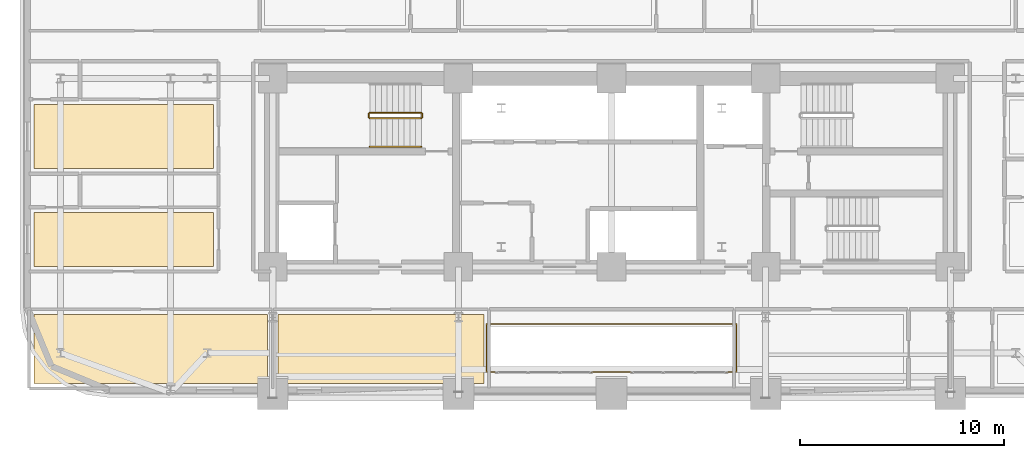
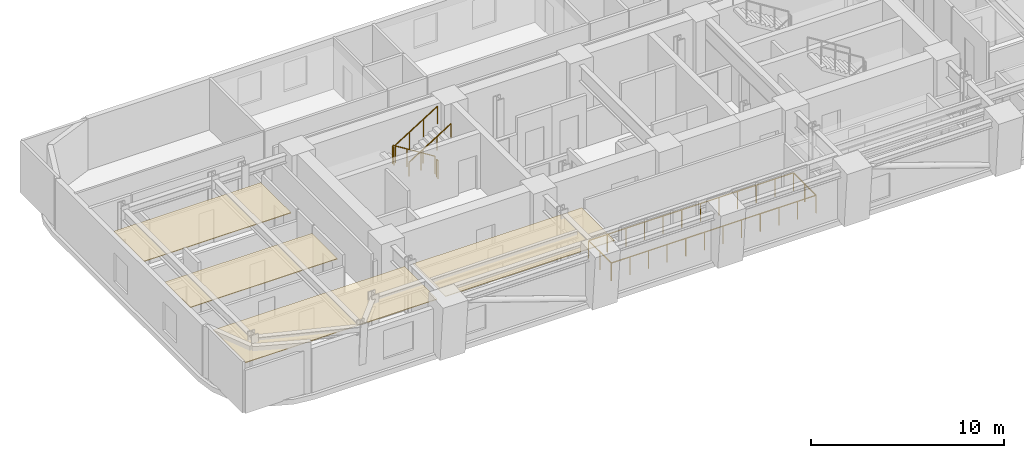
# One storey, part 13 of 15: 6 railings, 4 coverings.
"""IFC4 building model written with IfcOpenShell, lengths in metres."""

from ifc_helpers import new_model, si_unit, direction, frame, origin, origin_2d, place, context, subcontext, project, spatial, polyline, rectangle, outline, extrude, material, layer, layer_set, type_object, element, save


model = new_model("IFC4")

# Units and contexts
model_context = context("Model", 3, precision=1e-05, world=origin(), true_north=direction((0.0, 1.0)))
body_context = subcontext(model_context, "Body", "Model", "MODEL_VIEW")
ifc_project = project(units=[si_unit("LENGTHUNIT", "METRE"), si_unit("AREAUNIT", "SQUARE_METRE"), si_unit("VOLUMEUNIT", "CUBIC_METRE"), si_unit("PLANEANGLEUNIT", "RADIAN"), si_unit("MASSUNIT", "GRAM", prefix="KILO")], contexts=[model_context])

# Site, building, storey
site_placement = place(None, origin())
site = spatial("IfcSite", under=ifc_project, at=site_placement, CompositionType="ELEMENT")
building_placement = place(site_placement, origin())
building = spatial("IfcBuilding", under=site, at=building_placement, Name="Zarnavel Station Tower", CompositionType="ELEMENT")
storey_placement = place(building_placement, frame((0.0, 0.0, 50.0)))
storey = spatial("IfcBuildingStorey", under=building, at=storey_placement, Name="L13", CompositionType="ELEMENT", Elevation=50.0)

# Coverings
ifc_material_1 = material(Name="Perforated Gypsum and Mineral-Wool Acoustic Ceiling", Category="concrete")
ifc_layer = layer(ifc_material_1, 0.0400390625)
ifc_layer_set = layer_set([ifc_layer], Name="COV_CEIL_ACOUSTIC")
covering_type = type_object("IfcCoveringType", Name="COV_CEIL_ACOUSTIC", PredefinedType="CEILING", material=ifc_layer_set)
covering_1_placement = place(storey_placement, frame((0.0, 0.0, 2.919921875)))
element("IfcCovering", 1, at=covering_1_placement, inside=storey, type_object=covering_type, Name="L13 FNW1R Acoustic Ceiling", PredefinedType="CEILING", context=body_context, shape_type="SweptSolid", body=[
    extrude(outline(polyline([(0.510009765625, 27.85009765625), (9.300048828125, 27.85009765625), (9.300048828125, 30.490966796875), (0.510009765625, 30.490966796875), (0.510009765625, 27.85009765625)])), origin(), (0.0, 0.0, 1.0), 0.0400390625),
])
covering_2_placement = place(storey_placement, frame((0.0, 0.0, 2.919921875)))
element("IfcCovering", 2, at=covering_2_placement, inside=storey, type_object=covering_type, Name="L13 FNW2R Acoustic Ceiling", PredefinedType="CEILING", context=body_context, shape_type="SweptSolid", body=[
    extrude(outline(polyline([(0.510009765625, 32.64111328125), (9.300048828125, 32.64111328125), (9.300048828125, 35.777099609375), (0.510009765625, 35.777099609375), (0.510009765625, 32.64111328125)])), origin(), (0.0, 0.0, 1.0), 0.0400390625),
])
covering_3_placement = place(storey_placement, frame((0.0, 0.0, 2.919921875)))
element("IfcCovering", 3, at=covering_3_placement, inside=storey, type_object=covering_type, Name="L13 Z1BIZ Acoustic Ceiling", PredefinedType="CEILING", context=body_context, shape_type="SweptSolid", body=[
    extrude(outline(polyline([(0.510009765625, 22.110107421875), (11.949951171875, 22.110107421875), (11.949951171875, 25.5), (0.510009765625, 25.5), (0.510009765625, 22.110107421875)])), origin(), (0.0, 0.0, 1.0), 0.0400390625),
])
covering_4_placement = place(storey_placement, frame((0.0, 0.0, 2.919921875)))
element("IfcCovering", 4, at=covering_4_placement, inside=storey, type_object=covering_type, Name="L13 Z1BRD Acoustic Ceiling", PredefinedType="CEILING", context=body_context, shape_type="SweptSolid", body=[
    extrude(outline(polyline([(12.449951171875, 22.110107421875), (22.550048828125, 22.110107421875), (22.550048828125, 25.5), (12.449951171875, 25.5), (12.449951171875, 22.110107421875)])), origin(), (0.0, 0.0, 1.0), 0.0400390625),
])

# Railings
ifc_material_2 = material(Name="Painted Steel S355J2 Balustrade", Category="steel")
railing_type_1 = type_object("IfcRailingType", Name="GR_INT_1150", PredefinedType="GUARDRAIL", material=ifc_material_2)
railing_1_placement = place(storey_placement, frame((19.47998046875, 35.3701171875, 0.175048828125)))
element("IfcRailing", 5, at=railing_1_placement, inside=storey, type_object=railing_type_1, Name="L13 ST1 stair guard 1", PredefinedType="GUARDRAIL", context=body_context, shape_type="SweptSolid", body=[
    extrude(rectangle(XDim=0.048095703125, YDim=0.048095703125, at=origin_2d()), frame((-0.001708984375, 0.0, 1.126953125), z_axis=(-0.848007534815, 0.0, 0.529984170421), x_axis=(0.0, -1.0, 0.0)), (0.0, 0.0, 1.0), 2.9677734375),
    extrude(rectangle(XDim=0.0419921875, YDim=0.0419921875, at=origin_2d()), origin(), (0.0, 0.0, 1.0), 1.101806640625),
    extrude(rectangle(XDim=0.0419921875, YDim=0.0419921875, at=origin_2d()), frame((-0.840087890625, 0.0, 0.52490234375)), (0.0, 0.0, 1.0), 1.101806640625),
    extrude(rectangle(XDim=0.0419921875, YDim=0.0419921875, at=origin_2d()), frame((-1.679931640625, 0.0, 1.050048828125)), (0.0, 0.0, 1.0), 1.101806640625),
    extrude(rectangle(XDim=0.0419921875, YDim=0.0419921875, at=origin_2d()), frame((-2.52001953125, 0.0, 1.574951171875)), (0.0, 0.0, 1.0), 1.101806640625),
])
railing_2_placement = place(storey_placement, frame((16.909912109375, 35.320068359375, 1.75)))
element("IfcRailing", 6, at=railing_2_placement, inside=storey, type_object=railing_type_1, Name="L13 ST1 stair guard 2", PredefinedType="GUARDRAIL", context=body_context, shape_type="SweptSolid", body=[
    extrude(rectangle(XDim=0.048095703125, YDim=0.048095703125, at=origin_2d()), frame((0.0, -0.001953125, 1.1259765625), z_axis=(0.0, -1.0, 0.0), x_axis=(1.0, 0.0, 0.0)), (0.0, 0.0, 1.0), 0.15625),
    extrude(rectangle(XDim=0.0419921875, YDim=0.0419921875, at=origin_2d()), origin(), (0.0, 0.0, 1.0), 1.101806640625),
    extrude(rectangle(XDim=0.0419921875, YDim=0.0419921875, at=origin_2d()), frame((0.0, -0.16015625, 0.0)), (0.0, 0.0, 1.0), 1.101806640625),
])
railing_3_placement = place(storey_placement, frame((16.9599609375, 35.110107421875, 1.925048828125)))
element("IfcRailing", 7, at=railing_3_placement, inside=storey, type_object=railing_type_1, Name="L13 ST1 stair guard 3", PredefinedType="GUARDRAIL", context=body_context, shape_type="SweptSolid", body=[
    extrude(rectangle(XDim=0.048095703125, YDim=0.048095703125, at=origin_2d()), frame((0.001708984375, 0.0, 1.126953125), z_axis=(0.848007534815, 0.0, 0.529984170421), x_axis=(0.0, 1.0, 0.0)), (0.0, 0.0, 1.0), 2.9677734375),
    extrude(rectangle(XDim=0.0419921875, YDim=0.0419921875, at=origin_2d()), origin(), (0.0, 0.0, 1.0), 1.101806640625),
    extrude(rectangle(XDim=0.0419921875, YDim=0.0419921875, at=origin_2d()), frame((0.840087890625, 0.0, 0.52490234375)), (0.0, 0.0, 1.0), 1.101806640625),
    extrude(rectangle(XDim=0.0419921875, YDim=0.0419921875, at=origin_2d()), frame((1.679931640625, 0.0, 1.050048828125)), (0.0, 0.0, 1.0), 1.101806640625),
    extrude(rectangle(XDim=0.0419921875, YDim=0.0419921875, at=origin_2d()), frame((2.52001953125, 0.0, 1.574951171875)), (0.0, 0.0, 1.0), 1.101806640625),
])
railing_4_placement = place(storey_placement, frame((19.530029296875, 35.320068359375, 0.0)))
element("IfcRailing", 8, at=railing_4_placement, inside=storey, type_object=railing_type_1, Name="L13 ST1 stair guard 4", PredefinedType="GUARDRAIL", context=body_context, shape_type="SweptSolid", body=[
    extrude(rectangle(XDim=0.048095703125, YDim=0.048095703125, at=origin_2d()), frame((0.0, -0.001953125, 1.1259765625), z_axis=(0.0, -1.0, 0.0), x_axis=(1.0, 0.0, 0.0)), (0.0, 0.0, 1.0), 0.15625),
    extrude(rectangle(XDim=0.0419921875, YDim=0.0419921875, at=origin_2d()), origin(), (0.0, 0.0, 1.0), 1.101806640625),
    extrude(rectangle(XDim=0.0419921875, YDim=0.0419921875, at=origin_2d()), frame((0.0, -0.16015625, 0.0)), (0.0, 0.0, 1.0), 1.101806640625),
])
railing_5_placement = place(storey_placement, frame((22.679931640625, 22.679931640625, 0.0)))
element("IfcRailing", 9, at=railing_5_placement, inside=storey, type_object=railing_type_1, Name="L13 Atrium Void Guardrail", PredefinedType="GUARDRAIL", context=body_context, shape_type="SweptSolid", body=[
    extrude(rectangle(XDim=0.048095703125, YDim=0.048095703125, at=origin_2d()), frame((0.001953125, 0.0, 1.1259765625), z_axis=(1.0, 0.0, 0.0), x_axis=(0.0, 1.0, 0.0)), (0.0, 0.0, 1.0), 12.236083984375),
    extrude(rectangle(XDim=0.048095703125, YDim=0.048095703125, at=origin_2d()), frame((12.239990234375, 0.001953125, 1.1259765625), z_axis=(0.0, 1.0, 0.0), x_axis=(-1.0, 0.0, 0.0)), (0.0, 0.0, 1.0), 2.336181640625),
    extrude(rectangle(XDim=0.048095703125, YDim=0.048095703125, at=origin_2d()), frame((12.238037109375, 2.340087890625, 1.1259765625), z_axis=(-1.0, 0.0, 0.0), x_axis=(0.0, -1.0, 0.0)), (0.0, 0.0, 1.0), 12.236083984375),
    extrude(rectangle(XDim=0.048095703125, YDim=0.048095703125, at=origin_2d()), frame((0.0, 2.338134765625, 1.1259765625), z_axis=(0.0, -1.0, 0.0), x_axis=(1.0, 0.0, 0.0)), (0.0, 0.0, 1.0), 2.336181640625),
    extrude(rectangle(XDim=0.0419921875, YDim=0.0419921875, at=origin_2d()), origin(), (0.0, 0.0, 1.0), 1.101806640625),
    extrude(rectangle(XDim=0.0419921875, YDim=0.0419921875, at=origin_2d()), frame((1.11279296875, 0.0, 0.0)), (0.0, 0.0, 1.0), 1.101806640625),
    extrude(rectangle(XDim=0.0419921875, YDim=0.0419921875, at=origin_2d()), frame((2.225341796875, 0.0, 0.0)), (0.0, 0.0, 1.0), 1.101806640625),
    extrude(rectangle(XDim=0.0419921875, YDim=0.0419921875, at=origin_2d()), frame((3.338134765625, 0.0, 0.0)), (0.0, 0.0, 1.0), 1.101806640625),
    extrude(rectangle(XDim=0.0419921875, YDim=0.0419921875, at=origin_2d()), frame((4.450927734375, 0.0, 0.0)), (0.0, 0.0, 1.0), 1.101806640625),
    extrude(rectangle(XDim=0.0419921875, YDim=0.0419921875, at=origin_2d()), frame((5.563720703125, 0.0, 0.0)), (0.0, 0.0, 1.0), 1.101806640625),
    extrude(rectangle(XDim=0.0419921875, YDim=0.0419921875, at=origin_2d()), frame((6.67626953125, 0.0, 0.0)), (0.0, 0.0, 1.0), 1.101806640625),
    extrude(rectangle(XDim=0.0419921875, YDim=0.0419921875, at=origin_2d()), frame((7.7890625, 0.0, 0.0)), (0.0, 0.0, 1.0), 1.101806640625),
    extrude(rectangle(XDim=0.0419921875, YDim=0.0419921875, at=origin_2d()), frame((8.90185546875, 0.0, 0.0)), (0.0, 0.0, 1.0), 1.101806640625),
    extrude(rectangle(XDim=0.0419921875, YDim=0.0419921875, at=origin_2d()), frame((10.0146484375, 0.0, 0.0)), (0.0, 0.0, 1.0), 1.101806640625),
    extrude(rectangle(XDim=0.0419921875, YDim=0.0419921875, at=origin_2d()), frame((11.127197265625, 0.0, 0.0)), (0.0, 0.0, 1.0), 1.101806640625),
    extrude(rectangle(XDim=0.0419921875, YDim=0.0419921875, at=origin_2d()), frame((12.239990234375, 0.0, 0.0)), (0.0, 0.0, 1.0), 1.101806640625),
    extrude(rectangle(XDim=0.0419921875, YDim=0.0419921875, at=origin_2d()), frame((12.239990234375, 1.169921875, 0.0)), (0.0, 0.0, 1.0), 1.101806640625),
    extrude(rectangle(XDim=0.0419921875, YDim=0.0419921875, at=origin_2d()), frame((12.239990234375, 2.340087890625, 0.0)), (0.0, 0.0, 1.0), 1.101806640625),
    extrude(rectangle(XDim=0.0419921875, YDim=0.0419921875, at=origin_2d()), frame((11.127197265625, 2.340087890625, 0.0)), (0.0, 0.0, 1.0), 1.101806640625),
    extrude(rectangle(XDim=0.0419921875, YDim=0.0419921875, at=origin_2d()), frame((10.0146484375, 2.340087890625, 0.0)), (0.0, 0.0, 1.0), 1.101806640625),
    extrude(rectangle(XDim=0.0419921875, YDim=0.0419921875, at=origin_2d()), frame((8.90185546875, 2.340087890625, 0.0)), (0.0, 0.0, 1.0), 1.101806640625),
    extrude(rectangle(XDim=0.0419921875, YDim=0.0419921875, at=origin_2d()), frame((7.7890625, 2.340087890625, 0.0)), (0.0, 0.0, 1.0), 1.101806640625),
    extrude(rectangle(XDim=0.0419921875, YDim=0.0419921875, at=origin_2d()), frame((6.67626953125, 2.340087890625, 0.0)), (0.0, 0.0, 1.0), 1.101806640625),
    extrude(rectangle(XDim=0.0419921875, YDim=0.0419921875, at=origin_2d()), frame((5.563720703125, 2.340087890625, 0.0)), (0.0, 0.0, 1.0), 1.101806640625),
    extrude(rectangle(XDim=0.0419921875, YDim=0.0419921875, at=origin_2d()), frame((4.450927734375, 2.340087890625, 0.0)), (0.0, 0.0, 1.0), 1.101806640625),
    extrude(rectangle(XDim=0.0419921875, YDim=0.0419921875, at=origin_2d()), frame((3.338134765625, 2.340087890625, 0.0)), (0.0, 0.0, 1.0), 1.101806640625),
    extrude(rectangle(XDim=0.0419921875, YDim=0.0419921875, at=origin_2d()), frame((2.225341796875, 2.340087890625, 0.0)), (0.0, 0.0, 1.0), 1.101806640625),
    extrude(rectangle(XDim=0.0419921875, YDim=0.0419921875, at=origin_2d()), frame((1.11279296875, 2.340087890625, 0.0)), (0.0, 0.0, 1.0), 1.101806640625),
    extrude(rectangle(XDim=0.0419921875, YDim=0.0419921875, at=origin_2d()), frame((0.0, 2.340087890625, 0.0)), (0.0, 0.0, 1.0), 1.101806640625),
    extrude(rectangle(XDim=0.0419921875, YDim=0.0419921875, at=origin_2d()), frame((0.0, 1.169921875, 0.0)), (0.0, 0.0, 1.0), 1.101806640625),
])
ifc_material_3 = material(Name="Brushed Stainless Steel S355J2 Handrail", Category="steel")
railing_type_2 = type_object("IfcRailingType", Name="HR_STAIR_900", PredefinedType="HANDRAIL", material=ifc_material_3)
railing_6_placement = place(storey_placement, frame((16.9599609375, 33.7099609375, 1.925048828125)))
element("IfcRailing", 10, at=railing_6_placement, inside=storey, type_object=railing_type_2, Name="L13 ST1 stair handrail 2", PredefinedType="HANDRAIL", context=body_context, shape_type="SweptSolid", body=[
    extrude(rectangle(XDim=0.048095703125, YDim=0.048095703125, at=origin_2d()), frame((0.001708984375, 0.0, 0.876953125), z_axis=(0.848007534815, 0.0, 0.529984170421), x_axis=(0.0, 1.0, 0.0)), (0.0, 0.0, 1.0), 2.9677734375),
    extrude(rectangle(XDim=0.0419921875, YDim=0.0419921875, at=origin_2d()), origin(), (0.0, 0.0, 1.0), 0.851806640625),
    extrude(rectangle(XDim=0.0419921875, YDim=0.0419921875, at=origin_2d()), frame((0.840087890625, 0.0, 0.52490234375)), (0.0, 0.0, 1.0), 0.851806640625),
    extrude(rectangle(XDim=0.0419921875, YDim=0.0419921875, at=origin_2d()), frame((1.679931640625, 0.0, 1.050048828125)), (0.0, 0.0, 1.0), 0.851806640625),
    extrude(rectangle(XDim=0.0419921875, YDim=0.0419921875, at=origin_2d()), frame((2.52001953125, 0.0, 1.574951171875)), (0.0, 0.0, 1.0), 0.851806640625),
])

save(model, "model.ifc")
